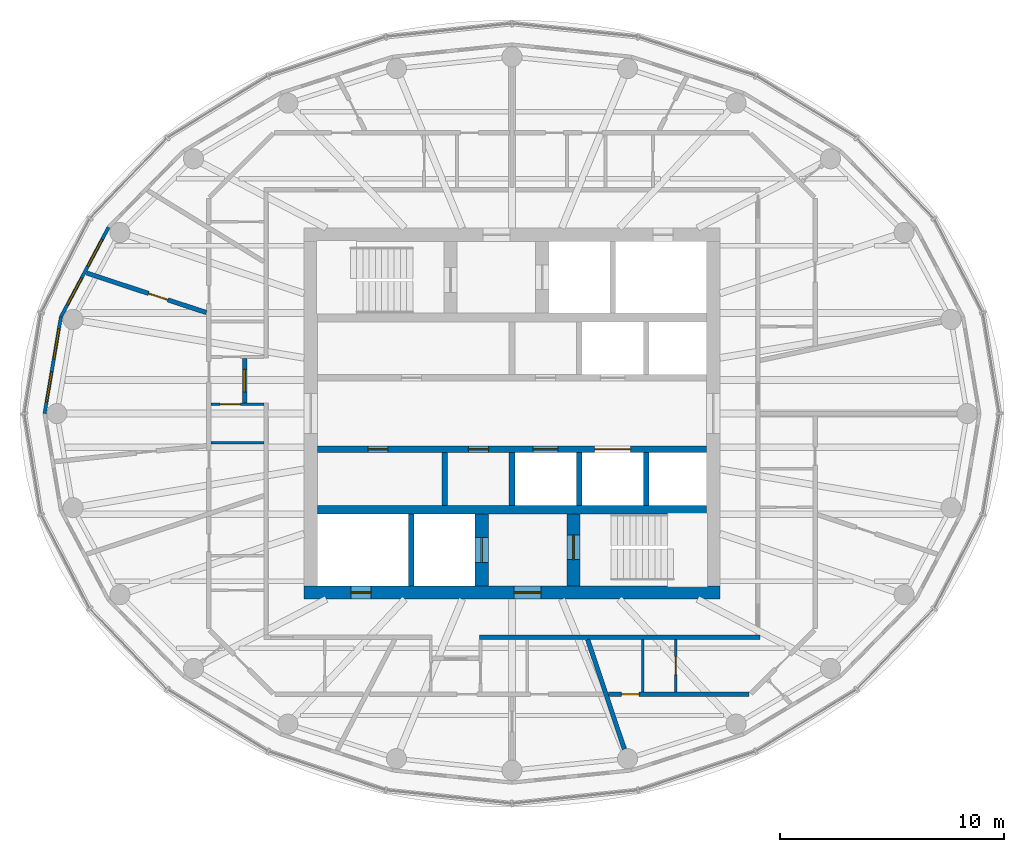
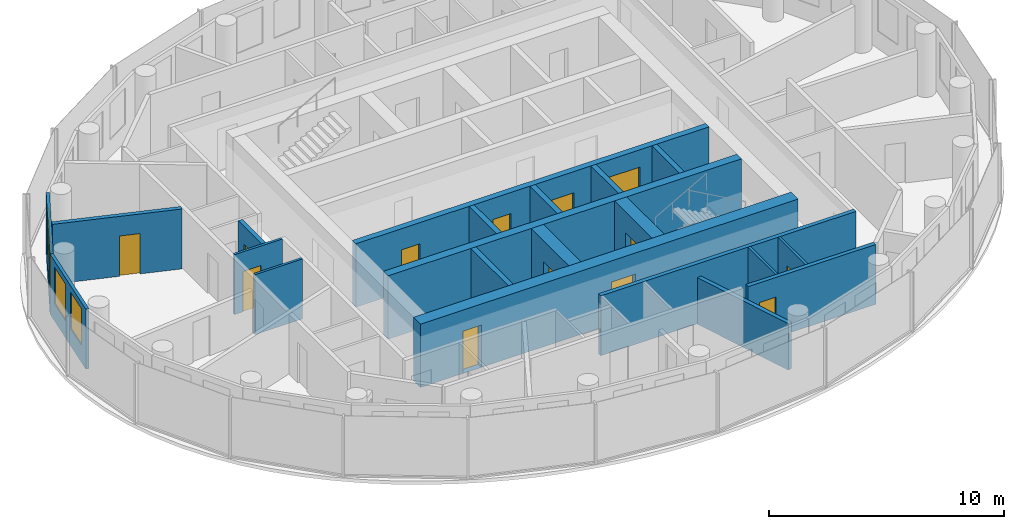
# One storey, part 6 of 11: 21 walls, 13 doors, 4 windows, 17 openings.
"""IFC4 building model written with IfcOpenShell, lengths in metres."""

import ifcopenshell
import ifcopenshell.guid

model = None  # the IFC model being written
_history = None  # IfcOwnerHistory: only IFC2X3 demands one
_inside = {}  # id of a spatial element -> (the spatial element, [elements in it])
_under = {}  # id of a project, library or spatial element -> (it, [spatial elements below it])
_declared = {}  # id of a project -> (the project, [libraries it declares])
_typed = {}  # id of a type object -> (the type object, [elements of that type])
_made_of = {}  # id of a material, layer set ... -> (it, [elements and type objects made of it])


def new_model(schema):
    """Start an empty IFC model of exactly this schema.

    Asked for "IFC4X3", IfcOpenShell would pick the latest addendum, in which some entities
    have other attributes; the version numbers below select the first issue.
    IFC2X3 requires an IfcOwnerHistory on every rooted entity: one is made here for all.
    """
    global model, _history
    if schema == "IFC4X3":
        model = ifcopenshell.file(schema_version=(4, 3, 0, 0))
    else:
        model = ifcopenshell.file(schema=schema)
    _inside.clear()
    _under.clear()
    _declared.clear()
    _typed.clear()
    _made_of.clear()
    _history = None
    if model.schema == "IFC2X3":
        org = make("IfcOrganization", Name="unknown")
        user = make(
            "IfcPersonAndOrganization",
            ThePerson=make("IfcPerson", FamilyName="unknown"),
            TheOrganization=org,
        )
        app = make(
            "IfcApplication",
            ApplicationDeveloper=org,
            Version="unknown",
            ApplicationFullName="unknown",
            ApplicationIdentifier="unknown",
        )
        _history = make(
            "IfcOwnerHistory",
            OwningUser=user,
            OwningApplication=app,
            ChangeAction="ADDED",
            CreationDate=0,
        )
    return model


def make(cls, **values):
    """One entity of the class cls with the attributes given. An attribute that is None is left unset."""
    return model.create_entity(
        cls, **{name: value for name, value in values.items() if value is not None}
    )


def rooted(cls, **values):
    """An entity with a GlobalId (a new one), such as an element, a storey or a relation."""
    return make(cls, GlobalId=ifcopenshell.guid.new(), OwnerHistory=_history, **values)


def si_unit(unit_type, name, prefix=None):
    """IfcSIUnit, for example si_unit("LENGTHUNIT", "METRE", prefix="MILLI")."""
    return make("IfcSIUnit", UnitType=unit_type, Prefix=prefix, Name=name)


def assignment(units):
    """IfcUnitAssignment: the units of a project."""
    return None if units is None else make("IfcUnitAssignment", Units=units)


def point(xyz):
    """IfcCartesianPoint."""
    return None if xyz is None else make("IfcCartesianPoint", Coordinates=xyz)


def direction(xyz):
    """IfcDirection."""
    return None if xyz is None else make("IfcDirection", DirectionRatios=xyz)


def frame(location, z_axis=None, x_axis=None):
    """IfcAxis2Placement3D, a coordinate frame: its origin and axes. An axis left out is left unset."""
    return make(
        "IfcAxis2Placement3D",
        Location=point(location),
        Axis=direction(z_axis),
        RefDirection=direction(x_axis),
    )


def frame_2d(location, x_axis=None):
    """IfcAxis2Placement2D, a coordinate frame in the plane: its origin and x axis."""
    return make(
        "IfcAxis2Placement2D", Location=point(location), RefDirection=direction(x_axis)
    )


def origin():
    """The frame at (0, 0, 0) with its axes left unset."""
    return frame((0.0, 0.0, 0.0))


def place(relative_to, where):
    """IfcLocalPlacement: puts the frame where relative to a parent placement (None: the world)."""
    return make(
        "IfcLocalPlacement", PlacementRelTo=relative_to, RelativePlacement=where
    )


def context(
    kind, dimensions, precision=None, world=None, true_north=None, identifier=None
):
    """IfcGeometricRepresentationContext, for example the 3D "Model" context."""
    return make(
        "IfcGeometricRepresentationContext",
        ContextIdentifier=identifier,
        ContextType=kind,
        CoordinateSpaceDimension=dimensions,
        Precision=precision,
        WorldCoordinateSystem=world,
        TrueNorth=true_north,
    )


def subcontext(parent, identifier, kind, view, scale=None):
    """IfcGeometricRepresentationSubContext, for example "Body" below "Model"."""
    return make(
        "IfcGeometricRepresentationSubContext",
        ContextIdentifier=identifier,
        ContextType=kind,
        ParentContext=parent,
        TargetScale=scale,
        TargetView=view,
    )


def project(units=None, contexts=None):
    """IfcProject with its units and contexts."""
    return rooted(
        "IfcProject",
        Name="project",
        RepresentationContexts=contexts,
        UnitsInContext=assignment(units),
    )


def spatial(cls, under=None, at=None, **own):
    """A site, building, storey or space (cls), placed at a placement, below another one or the project."""
    s = rooted(cls, ObjectPlacement=at, **own)
    if under is not None:
        _under.setdefault(under.id(), (under, []))[1].append(s)
    return s


def profile(cls, at=None, kind="AREA", **sizes):
    """A parametric profile (cls). Its sizes go by their IFC names, for example OverallWidth=200.0."""
    return make(cls, ProfileType=kind, Position=at, **sizes)


def rectangle(**sizes):
    """IfcRectangleProfileDef."""
    return profile("IfcRectangleProfileDef", **sizes)


def extrude(swept, where, along, depth):
    """IfcExtrudedAreaSolid: the profile swept, set in the frame where, extruded along a direction by depth."""
    return make(
        "IfcExtrudedAreaSolid",
        SweptArea=swept,
        Position=where,
        ExtrudedDirection=direction(along),
        Depth=depth,
    )


def shape(context_of_items, identifier, shape_type, items):
    """IfcShapeRepresentation: the items that make up one representation, for example the "Body"."""
    return make(
        "IfcShapeRepresentation",
        ContextOfItems=context_of_items,
        RepresentationIdentifier=identifier,
        RepresentationType=shape_type,
        Items=items,
    )


def material(Name=None, Category=None):
    """IfcMaterial."""
    return make("IfcMaterial", Name=Name, Category=Category)


def layer(
    of_material, thickness, ventilated=None, Name=None, Category=None, Priority=None
):
    """IfcMaterialLayer: one layer of a wall or slab, of a material (None: an air gap)."""
    return make(
        "IfcMaterialLayer",
        Material=of_material,
        LayerThickness=thickness,
        IsVentilated=ventilated,
        Name=Name,
        Category=Category,
        Priority=Priority,
    )


def layer_set(layers, Name=None):
    """IfcMaterialLayerSet."""
    return make("IfcMaterialLayerSet", MaterialLayers=layers, LayerSetName=Name)


def made_of(thing, what):
    """Note that an element or type object is made of a material, layer set ...; save() writes the relation."""
    if what is not None:
        _made_of.setdefault(what.id(), (what, []))[1].append(thing)
    return thing


def type_object(cls, material=None, **own):
    """A type object (cls), such as IfcWallType, which elements share."""
    return made_of(rooted(cls, **own), material)


def element(
    cls,
    number,
    at=None,
    inside=None,
    cuts=None,
    type_object=None,
    material=None,
    context=None,
    identifier="Body",
    shape_type=None,
    held_by="IfcProductDefinitionShape",
    body=None,
    shapes=None,
    **own,
):
    """One element of the class cls, such as IfcWall. Its Tag is "e" and its number.

    at: its placement. inside: the storey or other place that contains it. cuts: it is an
    opening in that element (IfcRelVoidsElement). A single representation is given by context,
    identifier, shape_type and body (its items); several are given by shapes. held_by: the class
    of the entity that holds the representations. save() writes the other relations.
    """
    e = rooted(cls, Tag="e%d" % number, ObjectPlacement=at, **own)
    if body is not None:
        shapes = [shape(context, identifier, shape_type, body)]
    if shapes is not None:
        e.Representation = make(held_by, Representations=shapes)
    if inside is not None:
        _inside.setdefault(inside.id(), (inside, []))[1].append(e)
    if cuts is not None:
        rooted(
            "IfcRelVoidsElement", RelatingBuildingElement=cuts, RelatedOpeningElement=e
        )
    if type_object is not None:
        _typed.setdefault(type_object.id(), (type_object, []))[1].append(e)
    return made_of(e, material)


def fill(opening, filler):
    """IfcRelFillsElement: the door or window that sits in an opening."""
    return rooted(
        "IfcRelFillsElement",
        RelatingOpeningElement=opening,
        RelatedBuildingElement=filler,
    )


def aggregate(whole, parts):
    """IfcRelAggregates: a whole, such as a stair, and the parts it consists of."""
    return rooted("IfcRelAggregates", RelatingObject=whole, RelatedObjects=parts)


def save(model, path):
    """Write the relations noted so far, then the file.

    IfcRelAggregates (storeys below a building ...), IfcRelContainedInSpatialStructure (elements
    in a storey), IfcRelDefinesByType, IfcRelAssociatesMaterial and IfcRelDeclares: one each for
    every whole, place, type object, material and project.
    """
    for whole, parts in _under.values():
        aggregate(whole, parts)
    for where, things in _inside.values():
        rooted(
            "IfcRelContainedInSpatialStructure",
            RelatedElements=things,
            RelatingStructure=where,
        )
    for kind, things in _typed.values():
        rooted("IfcRelDefinesByType", RelatedObjects=things, RelatingType=kind)
    for what, things in _made_of.values():
        rooted("IfcRelAssociatesMaterial", RelatedObjects=things, RelatingMaterial=what)
    for by, libraries in _declared.values():
        rooted("IfcRelDeclares", RelatingContext=by, RelatedDefinitions=libraries)
    model.write(path)


model = new_model("IFC4")

# Units and contexts
model_context = context("Model", 3, precision=1e-05, world=origin(), true_north=direction((0.0, 1.0)))
body_context = subcontext(model_context, "Body", "Model", "MODEL_VIEW")
ifc_project = project(units=[si_unit("LENGTHUNIT", "METRE"), si_unit("AREAUNIT", "SQUARE_METRE"), si_unit("VOLUMEUNIT", "CUBIC_METRE"), si_unit("PLANEANGLEUNIT", "RADIAN"), si_unit("MASSUNIT", "GRAM", prefix="KILO")], contexts=[model_context])

# Site, building, storey
site_placement = place(None, origin())
site = spatial("IfcSite", under=ifc_project, at=site_placement, CompositionType="ELEMENT")
building_placement = place(site_placement, origin())
building = spatial("IfcBuilding", under=site, at=building_placement, Name="Hankou Lantern Tower", CompositionType="ELEMENT")
storey_placement = place(building_placement, frame((0.0, 0.0, 199.5)))
storey = spatial("IfcBuildingStorey", under=building, at=storey_placement, Name="L53", CompositionType="ELEMENT", Elevation=199.5)

# Wall, openings, doors
ifc_material_1 = material(Name="Concrete C60", Category="concrete")
ifc_layer_1 = layer(ifc_material_1, 0.60009765625)
ifc_layer_set_1 = layer_set([ifc_layer_1], Name="Concrete C60")
wall_type_1 = type_object("IfcWallType", Name="CW3 CORE WALL 600", PredefinedType="SHEAR", material=ifc_layer_set_1)
wall_1_placement = place(storey_placement, frame((9.300048828125, -8.0, 0.0), z_axis=(0.0, 0.0, 1.0), x_axis=(-1.0, 0.0, 0.0)))
wall_1 = element("IfcWall", 1, at=wall_1_placement, inside=storey, type_object=wall_type_1, Name="Core wall south L53", PredefinedType="SHEAR", context=body_context, shape_type="SweptSolid", body=[
    extrude(rectangle(XDim=18.60009765625, YDim=0.60009765625, at=frame_2d((9.300048828125, 0.0))), origin(), (0.0, 0.0, 1.0), 3.300048828125),
])
opening_1_placement = place(wall_1_placement, frame((8.0, 0.0, 0.0)))
opening_1 = element("IfcOpeningElement", 2, at=opening_1_placement, cuts=wall_1, Name="Opening D5", PredefinedType="OPENING", context=body_context, shape_type="SweptSolid", body=[
    extrude(rectangle(XDim=1.199951171875, YDim=2.199951171875, at=frame_2d((0.60009765625, 1.10009765625))), frame((0.0, 0.31005859375, 0.0), z_axis=(0.0, -1.0, 0.0), x_axis=(1.0, 0.0, 0.0)), (0.0, 0.0, 1.0), 0.6201171875),
])
opening_2_placement = place(wall_1_placement, frame((15.60009765625, 0.0, 0.0)))
opening_2 = element("IfcOpeningElement", 3, at=opening_2_placement, cuts=wall_1, Name="Opening D7", PredefinedType="OPENING", context=body_context, shape_type="SweptSolid", body=[
    extrude(rectangle(XDim=0.89990234375, YDim=2.199951171875, at=frame_2d((0.449951171875, 1.10009765625))), frame((0.0, 0.31005859375, 0.0), z_axis=(0.0, -1.0, 0.0), x_axis=(1.0, 0.0, 0.0)), (0.0, 0.0, 1.0), 0.6201171875),
])
ifc_material_2 = material(Name="Steel door leaf", Category="steel")
door_type_1 = type_object("IfcDoorType", Name="D5 STAIR LOBBY DOOR 1200X2200", OperationType="SINGLE_SWING_LEFT", PredefinedType="DOOR", material=ifc_material_2)
door_1_placement = place(opening_1_placement, origin())
door_1 = element("IfcDoor", 4, at=door_1_placement, inside=storey, type_object=door_type_1, Name="Stair B lobby door", OperationType="SINGLE_SWING_LEFT", OverallHeight=2.199951171875, OverallWidth=1.199951171875, PredefinedType="DOOR", context=body_context, shape_type="SweptSolid", body=[
    extrude(rectangle(XDim=1.199951171875, YDim=2.199951171875, at=frame_2d((0.60009765625, 1.10009765625))), frame((0.0, 0.02490234375, 0.0), z_axis=(0.0, -1.0, 0.0), x_axis=(1.0, 0.0, 0.0)), (0.0, 0.0, 1.0), 0.050048828125),
])
fill(opening_1, door_1)
ifc_material_3 = material(Name="Steel door leaf", Category="steel")
door_type_2 = type_object("IfcDoorType", Name="D7 RISER DOOR 900X2200", OperationType="SINGLE_SWING_LEFT", PredefinedType="DOOR", material=ifc_material_3)
door_2_placement = place(opening_2_placement, origin())
door_2 = element("IfcDoor", 5, at=door_2_placement, inside=storey, type_object=door_type_2, Name="Riser S1 door", OperationType="SINGLE_SWING_RIGHT", OverallHeight=2.199951171875, OverallWidth=0.89990234375, PredefinedType="DOOR", context=body_context, shape_type="SweptSolid", body=[
    extrude(rectangle(XDim=0.89990234375, YDim=2.199951171875, at=frame_2d((0.449951171875, 1.10009765625))), frame((0.0, 0.02490234375, 0.0), z_axis=(0.0, -1.0, 0.0), x_axis=(1.0, 0.0, 0.0)), (0.0, 0.0, 1.0), 0.050048828125),
])
fill(opening_2, door_2)

# Wall
ifc_material_4 = material(Name="Concrete C60", Category="concrete")
ifc_layer_2 = layer(ifc_material_4, 0.39990234375)
ifc_layer_set_2 = layer_set([ifc_layer_2], Name="Concrete C60")
wall_type_2 = type_object("IfcWallType", Name="CW4 CORE CROSS WALL 400", PredefinedType="SHEAR", material=ifc_layer_set_2)
wall_2_placement = place(storey_placement, frame((-8.699951171875, -4.300048828125, 0.0), z_axis=(0.0, 0.0, 1.0), x_axis=(1.0, 0.0, 0.0)))
element("IfcWall", 6, at=wall_2_placement, inside=storey, type_object=wall_type_2, Name="Core band wall south L53", PredefinedType="SHEAR", context=body_context, shape_type="SweptSolid", body=[
    extrude(rectangle(XDim=17.39990234375, YDim=0.39990234375, at=frame_2d((8.699951171875, 0.0))), origin(), (0.0, 0.0, 1.0), 3.300048828125),
])

# Wall, openings, doors
ifc_material_5 = material(Name="Concrete C60", Category="concrete")
ifc_layer_3 = layer(ifc_material_5, 0.300048828125)
ifc_layer_set_3 = layer_set([ifc_layer_3], Name="Concrete C60")
wall_type_3 = type_object("IfcWallType", Name="CW5 LIFT LOBBY WALL 300", PredefinedType="SHEAR", material=ifc_layer_set_3)
wall_3_placement = place(storey_placement, frame((-8.699951171875, -1.60009765625, 0.0), z_axis=(0.0, 0.0, 1.0), x_axis=(1.0, 0.0, 0.0)))
wall_3 = element("IfcWall", 7, at=wall_3_placement, inside=storey, type_object=wall_type_3, Name="Lift lobby wall south L53", PredefinedType="SHEAR", context=body_context, shape_type="SweptSolid", body=[
    extrude(rectangle(XDim=17.39990234375, YDim=0.300048828125, at=frame_2d((8.699951171875, 0.0))), origin(), (0.0, 0.0, 1.0), 3.300048828125),
])
opening_3_placement = place(wall_3_placement, frame((9.64990234375, 0.0, 0.0)))
opening_3 = element("IfcOpeningElement", 8, at=opening_3_placement, cuts=wall_3, Name="Opening LD1", PredefinedType="OPENING", context=body_context, shape_type="SweptSolid", body=[
    extrude(rectangle(XDim=1.10009765625, YDim=2.199951171875, at=frame_2d((0.550048828125, 1.10009765625))), frame((0.0, 0.159912109375, 0.0), z_axis=(0.0, -1.0, 0.0), x_axis=(1.0, 0.0, 0.0)), (0.0, 0.0, 1.0), 0.320068359375),
])
opening_4_placement = place(wall_3_placement, frame((12.39990234375, 0.0, 0.0)))
opening_4 = element("IfcOpeningElement", 9, at=opening_4_placement, cuts=wall_3, Name="Opening LD4", PredefinedType="OPENING", context=body_context, shape_type="SweptSolid", body=[
    extrude(rectangle(XDim=1.60009765625, YDim=2.39990234375, at=frame_2d((0.800048828125, 1.199951171875))), frame((0.0, 0.159912109375, 0.0), z_axis=(0.0, -1.0, 0.0), x_axis=(1.0, 0.0, 0.0)), (0.0, 0.0, 1.0), 0.320068359375),
])
opening_5_placement = place(wall_3_placement, frame((2.25, 0.0, 0.0)))
opening_5 = element("IfcOpeningElement", 10, at=opening_5_placement, cuts=wall_3, Name="Opening D30", PredefinedType="OPENING", context=body_context, shape_type="SweptSolid", body=[
    extrude(rectangle(XDim=0.89990234375, YDim=2.199951171875, at=frame_2d((0.449951171875, 1.10009765625))), frame((0.0, 0.159912109375, 0.0), z_axis=(0.0, -1.0, 0.0), x_axis=(1.0, 0.0, 0.0)), (0.0, 0.0, 1.0), 0.320068359375),
])
opening_6_placement = place(wall_3_placement, frame((6.75, 0.0, 0.0)))
opening_6 = element("IfcOpeningElement", 11, at=opening_6_placement, cuts=wall_3, Name="Opening D30", PredefinedType="OPENING", context=body_context, shape_type="SweptSolid", body=[
    extrude(rectangle(XDim=0.89990234375, YDim=2.199951171875, at=frame_2d((0.449951171875, 1.10009765625))), frame((0.0, 0.159912109375, 0.0), z_axis=(0.0, -1.0, 0.0), x_axis=(1.0, 0.0, 0.0)), (0.0, 0.0, 1.0), 0.320068359375),
])
ifc_material_6 = material(Name="Steel door leaf", Category="steel")
door_type_3 = type_object("IfcDoorType", Name="D30 CORE ROOM DOOR 900X2200", OperationType="SINGLE_SWING_LEFT", PredefinedType="DOOR", material=ifc_material_6)
door_3_placement = place(opening_5_placement, origin())
door_3 = element("IfcDoor", 12, at=door_3_placement, inside=storey, type_object=door_type_3, Name="Guest pantry and ice room door", OperationType="SINGLE_SWING_LEFT", OverallHeight=2.199951171875, OverallWidth=0.89990234375, PredefinedType="DOOR", context=body_context, shape_type="SweptSolid", body=[
    extrude(rectangle(XDim=0.89990234375, YDim=2.199951171875, at=frame_2d((0.449951171875, 1.10009765625))), frame((0.0, 0.02490234375, 0.0), z_axis=(0.0, -1.0, 0.0), x_axis=(1.0, 0.0, 0.0)), (0.0, 0.0, 1.0), 0.050048828125),
])
fill(opening_5, door_3)
door_4_placement = place(opening_6_placement, origin())
door_4 = element("IfcDoor", 13, at=door_4_placement, inside=storey, type_object=door_type_3, Name="Housekeeping and linen store door", OperationType="SINGLE_SWING_LEFT", OverallHeight=2.199951171875, OverallWidth=0.89990234375, PredefinedType="DOOR", context=body_context, shape_type="SweptSolid", body=[
    extrude(rectangle(XDim=0.89990234375, YDim=2.199951171875, at=frame_2d((0.449951171875, 1.10009765625))), frame((0.0, 0.02490234375, 0.0), z_axis=(0.0, -1.0, 0.0), x_axis=(1.0, 0.0, 0.0)), (0.0, 0.0, 1.0), 0.050048828125),
])
fill(opening_6, door_4)
ifc_material_7 = material(Name="Steel door leaf", Category="steel")
door_type_4 = type_object("IfcDoorType", Name="LD1 LIFT LANDING DOOR 1100X2200", OperationType="DOUBLE_DOOR_SLIDING", PredefinedType="DOOR", material=ifc_material_7)
door_5_placement = place(opening_3_placement, origin())
door_5 = element("IfcDoor", 14, at=door_5_placement, inside=storey, type_object=door_type_4, Name="Lift T2 landing door", OperationType="DOUBLE_DOOR_SLIDING", OverallHeight=2.199951171875, OverallWidth=1.10009765625, PredefinedType="DOOR", context=body_context, shape_type="SweptSolid", body=[
    extrude(rectangle(XDim=1.10009765625, YDim=2.199951171875, at=frame_2d((0.550048828125, 1.10009765625))), frame((0.0, 0.02490234375, 0.0), z_axis=(0.0, -1.0, 0.0), x_axis=(1.0, 0.0, 0.0)), (0.0, 0.0, 1.0), 0.050048828125),
])
fill(opening_3, door_5)
ifc_material_8 = material(Name="Steel door leaf", Category="steel")
door_type_5 = type_object("IfcDoorType", Name="LD4 SERVICE LIFT LANDING DOOR 1600X2400", OperationType="DOUBLE_DOOR_SLIDING", PredefinedType="DOOR", material=ifc_material_8)
door_6_placement = place(opening_4_placement, origin())
door_6 = element("IfcDoor", 15, at=door_6_placement, inside=storey, type_object=door_type_5, Name="Lift SV1 landing door", OperationType="DOUBLE_DOOR_SLIDING", OverallHeight=2.39990234375, OverallWidth=1.60009765625, PredefinedType="DOOR", context=body_context, shape_type="SweptSolid", body=[
    extrude(rectangle(XDim=1.60009765625, YDim=2.39990234375, at=frame_2d((0.800048828125, 1.199951171875))), frame((0.0, 0.02490234375, 0.0), z_axis=(0.0, -1.0, 0.0), x_axis=(1.0, 0.0, 0.0)), (0.0, 0.0, 1.0), 0.050048828125),
])
fill(opening_4, door_6)

# Wall, opening, door
ifc_material_9 = material(Name="Concrete C60", Category="concrete")
ifc_layer_4 = layer(ifc_material_9, 0.60009765625)
ifc_layer_set_4 = layer_set([ifc_layer_4], Name="Concrete C60")
wall_type_4 = type_object("IfcWallType", Name="CW6 STAIR AND SHAFT WALL 600", PredefinedType="SHEAR", material=ifc_layer_set_4)
wall_4_placement = place(storey_placement, frame((2.75, -7.699951171875, 0.0), z_axis=(0.0, 0.0, 1.0), x_axis=(0.0, 1.0, 0.0)))
wall_4 = element("IfcWall", 16, at=wall_4_placement, inside=storey, type_object=wall_type_4, Name="Stair wall L53", PredefinedType="SHEAR", context=body_context, shape_type="SweptSolid", body=[
    extrude(rectangle(XDim=3.199951171875, YDim=0.60009765625, at=frame_2d((1.60009765625, 0.0))), origin(), (0.0, 0.0, 1.0), 3.300048828125),
])
opening_7_placement = place(wall_4_placement, frame((1.175048828125, 0.0, 0.0)))
opening_7 = element("IfcOpeningElement", 17, at=opening_7_placement, cuts=wall_4, Name="Opening D4", PredefinedType="OPENING", context=body_context, shape_type="SweptSolid", body=[
    extrude(rectangle(XDim=1.10009765625, YDim=2.199951171875, at=frame_2d((0.550048828125, 1.10009765625))), frame((0.0, 0.31005859375, 0.0), z_axis=(0.0, -1.0, 0.0), x_axis=(1.0, 0.0, 0.0)), (0.0, 0.0, 1.0), 0.6201171875),
])
ifc_material_10 = material(Name="Steel door leaf", Category="steel")
door_type_6 = type_object("IfcDoorType", Name="D4 STAIR DOOR 1100X2200", OperationType="SINGLE_SWING_LEFT", PredefinedType="DOOR", material=ifc_material_10)
door_7_placement = place(opening_7_placement, origin())
door_7 = element("IfcDoor", 18, at=door_7_placement, inside=storey, type_object=door_type_6, Name="Stair B door", OperationType="SINGLE_SWING_RIGHT", OverallHeight=2.199951171875, OverallWidth=1.10009765625, PredefinedType="DOOR", context=body_context, shape_type="SweptSolid", body=[
    extrude(rectangle(XDim=1.10009765625, YDim=2.199951171875, at=frame_2d((0.550048828125, 1.10009765625))), frame((0.0, 0.02490234375, 0.0), z_axis=(0.0, -1.0, 0.0), x_axis=(1.0, 0.0, 0.0)), (0.0, 0.0, 1.0), 0.050048828125),
])
fill(opening_7, door_7)

wall_5_placement = place(storey_placement, frame((-1.35009765625, -7.699951171875, 0.0), z_axis=(0.0, 0.0, 1.0), x_axis=(0.0, 1.0, 0.0)))
wall_5 = element("IfcWall", 19, at=wall_5_placement, inside=storey, type_object=wall_type_4, Name="Firefighting lift shaft wall L53", PredefinedType="SHEAR", context=body_context, shape_type="SweptSolid", body=[
    extrude(rectangle(XDim=3.199951171875, YDim=0.60009765625, at=frame_2d((1.60009765625, 0.0))), origin(), (0.0, 0.0, 1.0), 3.300048828125),
])
opening_8_placement = place(wall_5_placement, frame((1.050048828125, 0.0, 0.0)))
opening_8 = element("IfcOpeningElement", 20, at=opening_8_placement, cuts=wall_5, Name="Opening LD2", PredefinedType="OPENING", context=body_context, shape_type="SweptSolid", body=[
    extrude(rectangle(XDim=1.10009765625, YDim=2.199951171875, at=frame_2d((0.550048828125, 1.10009765625))), frame((0.0, 0.31005859375, 0.0), z_axis=(0.0, -1.0, 0.0), x_axis=(1.0, 0.0, 0.0)), (0.0, 0.0, 1.0), 0.6201171875),
])
ifc_material_11 = material(Name="Steel door leaf", Category="steel")
door_type_7 = type_object("IfcDoorType", Name="LD2 FIREFIGHTING LIFT LANDING DOOR 1100X2200", OperationType="DOUBLE_DOOR_SLIDING", PredefinedType="DOOR", material=ifc_material_11)
door_8_placement = place(opening_8_placement, origin())
door_8 = element("IfcDoor", 21, at=door_8_placement, inside=storey, type_object=door_type_7, Name="Firefighting lift FL2 landing door", OperationType="DOUBLE_DOOR_SLIDING", OverallHeight=2.199951171875, OverallWidth=1.10009765625, PredefinedType="DOOR", context=body_context, shape_type="SweptSolid", body=[
    extrude(rectangle(XDim=1.10009765625, YDim=2.199951171875, at=frame_2d((0.550048828125, 1.10009765625))), frame((0.0, 0.02490234375, 0.0), z_axis=(0.0, -1.0, 0.0), x_axis=(1.0, 0.0, 0.0)), (0.0, 0.0, 1.0), 0.050048828125),
])
fill(opening_8, door_8)

# Wall, openings, windows
ifc_material_12 = material(Name="Aluminium spandrel panel on steel studs", Category="steel")
ifc_layer_5 = layer(ifc_material_12, 0.14990234375)
ifc_layer_set_5 = layer_set([ifc_layer_5], Name="Aluminium spandrel panel on steel studs")
wall_type_5 = type_object("IfcWallType", Name="EW1 INNER SKIN WALL 150", PredefinedType="ELEMENTEDWALL", material=ifc_layer_set_5)
wall_6_placement = place(storey_placement, frame((-18.03955078125, 8.33203125, 0.0), z_axis=(0.0, 0.0, 1.0), x_axis=(-0.469256152955, -0.883062094597, 0.0)))
wall_6 = element("IfcWall", 22, at=wall_6_placement, inside=storey, type_object=wall_type_5, Name="Inner skin R11-R12 L53", PredefinedType="ELEMENTEDWALL", context=body_context, shape_type="SweptSolid", body=[
    extrude(rectangle(XDim=4.539306640625, YDim=0.14990234375, at=frame_2d((2.26953125, 0.0))), origin(), (0.0, 0.0, 1.0), 3.1201171875),
])
opening_9_placement = place(wall_6_placement, frame((0.61962890625, 0.0, 0.89990234375)))
opening_9 = element("IfcOpeningElement", 23, at=opening_9_placement, cuts=wall_6, Name="Opening W4", PredefinedType="OPENING", context=body_context, shape_type="SweptSolid", body=[
    extrude(rectangle(XDim=1.35009765625, YDim=1.89990234375, at=frame_2d((0.675048828125, 0.949951171875))), frame((0.0, 0.0849609375, 0.0), z_axis=(0.0, -1.0, 0.0), x_axis=(1.0, 0.0, 0.0)), (0.0, 0.0, 1.0), 0.169921875),
])
opening_10_placement = place(wall_6_placement, frame((2.569580078125, 0.0, 0.89990234375)))
opening_10 = element("IfcOpeningElement", 24, at=opening_10_placement, cuts=wall_6, Name="Opening W4", PredefinedType="OPENING", context=body_context, shape_type="SweptSolid", body=[
    extrude(rectangle(XDim=1.35009765625, YDim=1.89990234375, at=frame_2d((0.675048828125, 0.949951171875))), frame((0.0, 0.0849609375, 0.0), z_axis=(0.0, -1.0, 0.0), x_axis=(1.0, 0.0, 0.0)), (0.0, 0.0, 1.0), 0.169921875),
])
ifc_material_13 = material(Name="Aluminium framed double glazed window", Category="aluminium")
window_type = type_object("IfcWindowType", Name="W4 SUITE WINDOW 1350X1900", PartitioningType="DOUBLE_PANEL_VERTICAL", PredefinedType="WINDOW", material=ifc_material_13)
window_1_placement = place(opening_9_placement, origin())
window_1 = element("IfcWindow", 25, at=window_1_placement, inside=storey, type_object=window_type, Name="Window R11.1 L53", OverallHeight=1.89990234375, OverallWidth=1.35009765625, PartitioningType="SINGLE_PANEL", PredefinedType="WINDOW", context=body_context, shape_type="SweptSolid", body=[
    extrude(rectangle(XDim=1.35009765625, YDim=1.89990234375, at=frame_2d((0.675048828125, 0.949951171875))), frame((0.0, 0.030029296875, 0.0), z_axis=(0.0, -1.0, 0.0), x_axis=(1.0, 0.0, 0.0)), (0.0, 0.0, 1.0), 0.06005859375),
])
fill(opening_9, window_1)
window_2_placement = place(opening_10_placement, origin())
window_2 = element("IfcWindow", 26, at=window_2_placement, inside=storey, type_object=window_type, Name="Window R11.2 L53", OverallHeight=1.89990234375, OverallWidth=1.35009765625, PartitioningType="SINGLE_PANEL", PredefinedType="WINDOW", context=body_context, shape_type="SweptSolid", body=[
    extrude(rectangle(XDim=1.35009765625, YDim=1.89990234375, at=frame_2d((0.675048828125, 0.949951171875))), frame((0.0, 0.030029296875, 0.0), z_axis=(0.0, -1.0, 0.0), x_axis=(1.0, 0.0, 0.0)), (0.0, 0.0, 1.0), 0.06005859375),
])
fill(opening_10, window_2)

wall_7_placement = place(storey_placement, frame((-20.169677734375, 4.323486328125, 0.0), z_axis=(0.0, 0.0, 1.0), x_axis=(-0.166538513568, -0.986034950445, 0.0)))
wall_7 = element("IfcWall", 27, at=wall_7_placement, inside=storey, type_object=wall_type_5, Name="Inner skin R12-R13 L53", PredefinedType="ELEMENTEDWALL", context=body_context, shape_type="SweptSolid", body=[
    extrude(rectangle(XDim=4.384765625, YDim=0.14990234375, at=frame_2d((2.1923828125, 0.0))), origin(), (0.0, 0.0, 1.0), 3.1201171875),
])
opening_11_placement = place(wall_7_placement, frame((0.54248046875, 0.0, 0.89990234375)))
opening_11 = element("IfcOpeningElement", 28, at=opening_11_placement, cuts=wall_7, Name="Opening W4", PredefinedType="OPENING", context=body_context, shape_type="SweptSolid", body=[
    extrude(rectangle(XDim=1.35009765625, YDim=1.89990234375, at=frame_2d((0.675048828125, 0.949951171875))), frame((0.0, 0.0849609375, 0.0), z_axis=(0.0, -1.0, 0.0), x_axis=(1.0, 0.0, 0.0)), (0.0, 0.0, 1.0), 0.169921875),
])
opening_12_placement = place(wall_7_placement, frame((2.492431640625, 0.0, 0.89990234375)))
opening_12 = element("IfcOpeningElement", 29, at=opening_12_placement, cuts=wall_7, Name="Opening W4", PredefinedType="OPENING", context=body_context, shape_type="SweptSolid", body=[
    extrude(rectangle(XDim=1.35009765625, YDim=1.89990234375, at=frame_2d((0.675048828125, 0.949951171875))), frame((0.0, 0.0849609375, 0.0), z_axis=(0.0, -1.0, 0.0), x_axis=(1.0, 0.0, 0.0)), (0.0, 0.0, 1.0), 0.169921875),
])
window_3_placement = place(opening_11_placement, origin())
window_3 = element("IfcWindow", 30, at=window_3_placement, inside=storey, type_object=window_type, Name="Window R12.1 L53", OverallHeight=1.89990234375, OverallWidth=1.35009765625, PartitioningType="SINGLE_PANEL", PredefinedType="WINDOW", context=body_context, shape_type="SweptSolid", body=[
    extrude(rectangle(XDim=1.35009765625, YDim=1.89990234375, at=frame_2d((0.675048828125, 0.949951171875))), frame((0.0, 0.030029296875, 0.0), z_axis=(0.0, -1.0, 0.0), x_axis=(1.0, 0.0, 0.0)), (0.0, 0.0, 1.0), 0.06005859375),
])
fill(opening_11, window_3)
window_4_placement = place(opening_12_placement, origin())
window_4 = element("IfcWindow", 31, at=window_4_placement, inside=storey, type_object=window_type, Name="Window R12.2 L53", OverallHeight=1.89990234375, OverallWidth=1.35009765625, PartitioningType="SINGLE_PANEL", PredefinedType="WINDOW", context=body_context, shape_type="SweptSolid", body=[
    extrude(rectangle(XDim=1.35009765625, YDim=1.89990234375, at=frame_2d((0.675048828125, 0.949951171875))), frame((0.0, 0.030029296875, 0.0), z_axis=(0.0, -1.0, 0.0), x_axis=(1.0, 0.0, 0.0)), (0.0, 0.0, 1.0), 0.06005859375),
])
fill(opening_12, window_4)

# Walls
ifc_material_14 = material(Name="Masonry lightweight concrete block", Category="masonry")
ifc_layer_6 = layer(ifc_material_14, 0.199951171875)
ifc_layer_set_6 = layer_set([ifc_layer_6], Name="Masonry lightweight concrete block")
wall_type_6 = type_object("IfcWallType", Name="IW1 GUEST ROOM PARTY WALL 200", PredefinedType="PARTITIONING", material=ifc_layer_set_6)
wall_8_placement = place(storey_placement, frame((3.3828125, -10.10009765625, 0.0), z_axis=(0.0, 0.0, 1.0), x_axis=(0.317602151035, -0.948224063003, 0.0)))
element("IfcWall", 32, at=wall_8_placement, inside=storey, type_object=wall_type_6, Name="Party wall R20", PredefinedType="PARTITIONING", context=body_context, shape_type="SweptSolid", body=[
    extrude(rectangle(XDim=5.16796875, YDim=0.199951171875, at=frame_2d((2.583984375, 0.0))), origin(), (0.0, 0.0, 1.0), 2.419921875),
])
ifc_material_15 = material(Name="Masonry lightweight concrete block", Category="masonry")
ifc_layer_7 = layer(ifc_material_15, 0.199951171875)
ifc_layer_set_7 = layer_set([ifc_layer_7], Name="Masonry lightweight concrete block")
wall_type_7 = type_object("IfcWallType", Name="IW2 CORRIDOR WALL 200", PredefinedType="PARTITIONING", material=ifc_layer_set_7)
wall_9_placement = place(storey_placement, frame((11.10009765625, -10.0, 0.0), z_axis=(0.0, 0.0, 1.0), x_axis=(-1.0, 0.0, 0.0)))
element("IfcWall", 33, at=wall_9_placement, inside=storey, type_object=wall_type_7, Name="Corridor wall south", PredefinedType="PARTITIONING", context=body_context, shape_type="SweptSolid", body=[
    extrude(rectangle(XDim=12.55908203125, YDim=0.199951171875, at=frame_2d((6.279541015625, 0.0))), origin(), (0.0, 0.0, 1.0), 3.1201171875),
])

# Wall, opening, door
wall_10_placement = place(storey_placement, frame((-11.949951171875, 2.474365234375, 0.0), z_axis=(0.0, 0.0, 1.0), x_axis=(0.0, -1.0, 0.0)))
wall_10 = element("IfcWall", 34, at=wall_10_placement, inside=storey, type_object=wall_type_7, Name="Suite entrance recess wall 5304", PredefinedType="PARTITIONING", context=body_context, shape_type="SweptSolid", body=[
    extrude(rectangle(XDim=2.0, YDim=0.199951171875, at=frame_2d((1.0, 0.0))), origin(), (0.0, 0.0, 1.0), 3.1201171875),
])
opening_13_placement = place(wall_10_placement, frame((0.5, 0.0, 0.0)))
opening_13 = element("IfcOpeningElement", 35, at=opening_13_placement, cuts=wall_10, Name="Opening D2", PredefinedType="OPENING", context=body_context, shape_type="SweptSolid", body=[
    extrude(rectangle(XDim=1.0, YDim=2.199951171875, at=frame_2d((0.5, 1.10009765625))), frame((0.0, 0.10986328125, 0.0), z_axis=(0.0, -1.0, 0.0), x_axis=(1.0, 0.0, 0.0)), (0.0, 0.0, 1.0), 0.219970703125),
])
ifc_material_16 = material(Name="Steel door leaf", Category="steel")
door_type_8 = type_object("IfcDoorType", Name="D2 SUITE DOOR 1000X2200", OperationType="SINGLE_SWING_LEFT", PredefinedType="DOOR", material=ifc_material_16)
door_9_placement = place(opening_13_placement, origin())
door_9 = element("IfcDoor", 36, at=door_9_placement, inside=storey, type_object=door_type_8, Name="Suite door 5304", OperationType="SINGLE_SWING_RIGHT", OverallHeight=2.199951171875, OverallWidth=1.0, PredefinedType="DOOR", context=body_context, shape_type="SweptSolid", body=[
    extrude(rectangle(XDim=1.0, YDim=2.199951171875, at=frame_2d((0.5, 1.10009765625))), frame((0.0, 0.02490234375, 0.0), z_axis=(0.0, -1.0, 0.0), x_axis=(1.0, 0.0, 0.0)), (0.0, 0.0, 1.0), 0.050048828125),
])
fill(opening_13, door_9)

ifc_material_17 = material(Name="Masonry lightweight concrete block", Category="masonry")
ifc_layer_8 = layer(ifc_material_17, 0.1201171875)
ifc_layer_set_8 = layer_set([ifc_layer_8], Name="Masonry lightweight concrete block")
wall_type_8 = type_object("IfcWallType", Name="IW3 BATHROOM WALL 120", PredefinedType="PARTITIONING", material=ifc_layer_set_8)
wall_11_placement = place(storey_placement, frame((-11.10009765625, 0.414306640625, 0.0), z_axis=(0.0, 0.0, 1.0), x_axis=(-1.0, 0.0, 0.0)))
wall_11 = element("IfcWall", 37, at=wall_11_placement, inside=storey, type_object=wall_type_8, Name="Box wall 5304 3", PredefinedType="PARTITIONING", context=body_context, shape_type="SweptSolid", body=[
    extrude(rectangle(XDim=2.349853515625, YDim=0.1201171875, at=frame_2d((1.1748046875, 0.0))), origin(), (0.0, 0.0, 1.0), 3.1201171875),
])
opening_14_placement = place(wall_11_placement, frame((1.050048828125, 0.0, 0.0)))
opening_14 = element("IfcOpeningElement", 38, at=opening_14_placement, cuts=wall_11, Name="Opening D27", PredefinedType="OPENING", context=body_context, shape_type="SweptSolid", body=[
    extrude(rectangle(XDim=0.89990234375, YDim=2.10009765625, at=frame_2d((0.449951171875, 1.050048828125))), frame((0.0, 0.070068359375, 0.0), z_axis=(0.0, -1.0, 0.0), x_axis=(1.0, 0.0, 0.0)), (0.0, 0.0, 1.0), 0.14013671875),
])
ifc_material_18 = material(Name="Timber door leaf", Category="wood")
door_type_9 = type_object("IfcDoorType", Name="D27 INTERNAL DOOR 900X2100", OperationType="SINGLE_SWING_LEFT", PredefinedType="DOOR", material=ifc_material_18)
door_10_placement = place(opening_14_placement, origin())
door_10 = element("IfcDoor", 39, at=door_10_placement, inside=storey, type_object=door_type_9, Name="Family suite 5304 walk-in wardrobe door", OperationType="SINGLE_SWING_RIGHT", OverallHeight=2.10009765625, OverallWidth=0.89990234375, PredefinedType="DOOR", context=body_context, shape_type="SweptSolid", body=[
    extrude(rectangle(XDim=0.89990234375, YDim=2.10009765625, at=frame_2d((0.449951171875, 1.050048828125))), frame((0.0, 0.02490234375, 0.0), z_axis=(0.0, -1.0, 0.0), x_axis=(1.0, 0.0, 0.0)), (0.0, 0.0, 1.0), 0.050048828125),
])
fill(opening_14, door_10)

# Walls
for number, where, z_axis, x_axis, name in (
    (40, (-11.10009765625, -1.3056640625, 0.0), (0.0, 0.0, 1.0), (-1.0, 0.0, 0.0), "Box wall 5304 4"),
    (41, (5.849365234375, -10.10009765625, 0.0), (0.0, 0.0, 1.0), (0.0, -1.0, 0.0), "Box wall 5307 1"),
):
    element("IfcWall", number, at=place(storey_placement, frame(where, z_axis=z_axis, x_axis=x_axis)), inside=storey, type_object=wall_type_8, Name=name, PredefinedType="PARTITIONING", context=body_context, shape_type="SweptSolid", body=[
        extrude(rectangle(XDim=2.349853515625, YDim=0.1201171875, at=frame_2d((1.1748046875, 0.0))), origin(), (0.0, 0.0, 1.0), 3.1201171875),
    ])

# Wall, opening, door
wall_12_placement = place(storey_placement, frame((7.3193359375, -10.10009765625, 0.0), z_axis=(0.0, 0.0, 1.0), x_axis=(0.0, -1.0, 0.0)))
wall_12 = element("IfcWall", 42, at=wall_12_placement, inside=storey, type_object=wall_type_8, Name="Box wall 5307 2", PredefinedType="PARTITIONING", context=body_context, shape_type="SweptSolid", body=[
    extrude(rectangle(XDim=2.349853515625, YDim=0.1201171875, at=frame_2d((1.1748046875, 0.0))), origin(), (0.0, 0.0, 1.0), 3.1201171875),
])
opening_15_placement = place(wall_12_placement, frame((0.77001953125, 0.0, 0.0)))
opening_15 = element("IfcOpeningElement", 43, at=opening_15_placement, cuts=wall_12, Name="Opening D3", PredefinedType="OPENING", context=body_context, shape_type="SweptSolid", body=[
    extrude(rectangle(XDim=0.800048828125, YDim=2.10009765625, at=frame_2d((0.39990234375, 1.050048828125))), frame((0.0, 0.070068359375, 0.0), z_axis=(0.0, -1.0, 0.0), x_axis=(1.0, 0.0, 0.0)), (0.0, 0.0, 1.0), 0.14013671875),
])
ifc_material_19 = material(Name="Timber door leaf", Category="wood")
door_type_10 = type_object("IfcDoorType", Name="D3 BATHROOM DOOR 800X2100", OperationType="SINGLE_SWING_LEFT", PredefinedType="DOOR", material=ifc_material_19)
door_11_placement = place(opening_15_placement, origin())
door_11 = element("IfcDoor", 44, at=door_11_placement, inside=storey, type_object=door_type_10, Name="Family suite 5307 guest WC door", OperationType="SINGLE_SWING_LEFT", OverallHeight=2.10009765625, OverallWidth=0.800048828125, PredefinedType="DOOR", context=body_context, shape_type="SweptSolid", body=[
    extrude(rectangle(XDim=0.800048828125, YDim=2.10009765625, at=frame_2d((0.39990234375, 1.050048828125))), frame((0.0, 0.02490234375, 0.0), z_axis=(0.0, -1.0, 0.0), x_axis=(1.0, 0.0, 0.0)), (0.0, 0.0, 1.0), 0.050048828125),
])
fill(opening_15, door_11)

ifc_material_20 = material(Name="Masonry lightweight concrete block", Category="masonry")
ifc_layer_9 = layer(ifc_material_20, 0.199951171875)
ifc_layer_set_9 = layer_set([ifc_layer_9], Name="Masonry lightweight concrete block")
wall_type_9 = type_object("IfcWallType", Name="IW6 SUITE PARTITION 200", PredefinedType="PARTITIONING", material=ifc_layer_set_9)
wall_13_placement = place(storey_placement, frame((-13.664306640625, 4.516357421875, 0.0), z_axis=(0.0, 0.0, 1.0), x_axis=(-0.949481375941, 0.313823384632, 0.0)))
wall_13 = element("IfcWall", 45, at=wall_13_placement, inside=storey, type_object=wall_type_9, Name="Suite partition R11-R12", PredefinedType="PARTITIONING", context=body_context, shape_type="SweptSolid", body=[
    extrude(rectangle(XDim=5.637939453125, YDim=0.199951171875, at=frame_2d((2.81884765625, 0.0))), origin(), (0.0, 0.0, 1.0), 3.1201171875),
])
opening_16_placement = place(wall_13_placement, frame((1.820068359375, 0.0, 0.0)))
opening_16 = element("IfcOpeningElement", 46, at=opening_16_placement, cuts=wall_13, Name="Opening D27", PredefinedType="OPENING", context=body_context, shape_type="SweptSolid", body=[
    extrude(rectangle(XDim=0.89990234375, YDim=2.10009765625, at=frame_2d((0.449951171875, 1.050048828125))), frame((0.0, 0.10986328125, 0.0), z_axis=(0.0, -1.0, 0.0), x_axis=(1.0, 0.0, 0.0)), (0.0, 0.0, 1.0), 0.219970703125),
])
door_12_placement = place(opening_16_placement, origin())
door_12 = element("IfcDoor", 47, at=door_12_placement, inside=storey, type_object=door_type_9, Name="Family suite 5304 bedroom door", OperationType="SINGLE_SWING_LEFT", OverallHeight=2.10009765625, OverallWidth=0.89990234375, PredefinedType="DOOR", context=body_context, shape_type="SweptSolid", body=[
    extrude(rectangle(XDim=0.89990234375, YDim=2.10009765625, at=frame_2d((0.449951171875, 1.050048828125))), frame((0.0, 0.02490234375, 0.0), z_axis=(0.0, -1.0, 0.0), x_axis=(1.0, 0.0, 0.0)), (0.0, 0.0, 1.0), 0.050048828125),
])
fill(opening_16, door_12)

wall_14_placement = place(storey_placement, frame((4.324951171875, -12.550048828125, 0.0), z_axis=(0.0, 0.0, 1.0), x_axis=(1.0, 0.0, 0.0)))
wall_14 = element("IfcWall", 48, at=wall_14_placement, inside=storey, type_object=wall_type_9, Name="Suite foyer wall 5307", PredefinedType="PARTITIONING", context=body_context, shape_type="SweptSolid", body=[
    extrude(rectangle(XDim=6.28369140625, YDim=0.199951171875, at=frame_2d((3.141845703125, 0.0))), origin(), (0.0, 0.0, 1.0), 3.1201171875),
])
opening_17_placement = place(wall_14_placement, frame((0.564453125, 0.0, 0.0)))
opening_17 = element("IfcOpeningElement", 49, at=opening_17_placement, cuts=wall_14, Name="Opening D3", PredefinedType="OPENING", context=body_context, shape_type="SweptSolid", body=[
    extrude(rectangle(XDim=0.800048828125, YDim=2.10009765625, at=frame_2d((0.39990234375, 1.050048828125))), frame((0.0, 0.10986328125, 0.0), z_axis=(0.0, -1.0, 0.0), x_axis=(1.0, 0.0, 0.0)), (0.0, 0.0, 1.0), 0.219970703125),
])
door_13_placement = place(opening_17_placement, origin())
door_13 = element("IfcDoor", 50, at=door_13_placement, inside=storey, type_object=door_type_10, Name="Family suite 5307 bathroom door", OperationType="SINGLE_SWING_RIGHT", OverallHeight=2.10009765625, OverallWidth=0.800048828125, PredefinedType="DOOR", context=body_context, shape_type="SweptSolid", body=[
    extrude(rectangle(XDim=0.800048828125, YDim=2.10009765625, at=frame_2d((0.39990234375, 1.050048828125))), frame((0.0, 0.02490234375, 0.0), z_axis=(0.0, -1.0, 0.0), x_axis=(1.0, 0.0, 0.0)), (0.0, 0.0, 1.0), 0.050048828125),
])
fill(opening_17, door_13)

# Walls
ifc_material_21 = material(Name="Masonry autoclaved aerated concrete block", Category="masonry")
ifc_layer_10 = layer(ifc_material_21, 0.25)
ifc_layer_set_10 = layer_set([ifc_layer_10], Name="Masonry autoclaved aerated concrete block")
wall_type_10 = type_object("IfcWallType", Name="SW1 SHAFT BLOCK WALL 250", PredefinedType="PARTITIONING", material=ifc_layer_set_10)
wall_15_placement = place(storey_placement, frame((-4.5, -7.699951171875, 0.0), z_axis=(0.0, 0.0, 1.0), x_axis=(0.0, 1.0, 0.0)))
element("IfcWall", 51, at=wall_15_placement, inside=storey, type_object=wall_type_10, Name="Riser wall L53", PredefinedType="PARTITIONING", context=body_context, shape_type="SweptSolid", body=[
    extrude(rectangle(XDim=3.199951171875, YDim=0.25, at=frame_2d((1.60009765625, 0.0))), origin(), (0.0, 0.0, 1.0), 3.300048828125),
])
for number, where, z_axis, x_axis, name in (
    (52, (-3.0, -4.10009765625, 0.0), (0.0, 0.0, 1.0), (0.0, 1.0, 0.0), "Lift shaft wall L53"),
    (53, (0.0, -4.10009765625, 0.0), (0.0, 0.0, 1.0), (0.0, 1.0, 0.0), "Lift shaft wall L53"),
    (54, (3.0, -4.10009765625, 0.0), (0.0, 0.0, 1.0), (0.0, 1.0, 0.0), "Lift shaft wall L53"),
    (55, (6.0, -4.10009765625, 0.0), (0.0, 0.0, 1.0), (0.0, 1.0, 0.0), "Lift shaft wall L53"),
):
    element("IfcWall", number, at=place(storey_placement, frame(where, z_axis=z_axis, x_axis=x_axis)), inside=storey, type_object=wall_type_10, Name=name, PredefinedType="PARTITIONING", context=body_context, shape_type="SweptSolid", body=[
        extrude(rectangle(XDim=2.35009765625, YDim=0.25, at=frame_2d((1.175048828125, 0.0))), origin(), (0.0, 0.0, 1.0), 3.300048828125),
    ])

save(model, "model.ifc")
